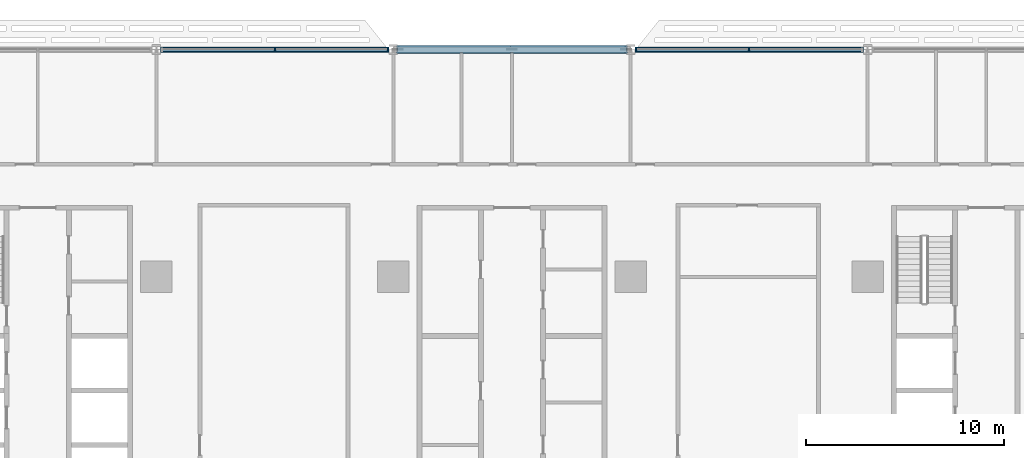
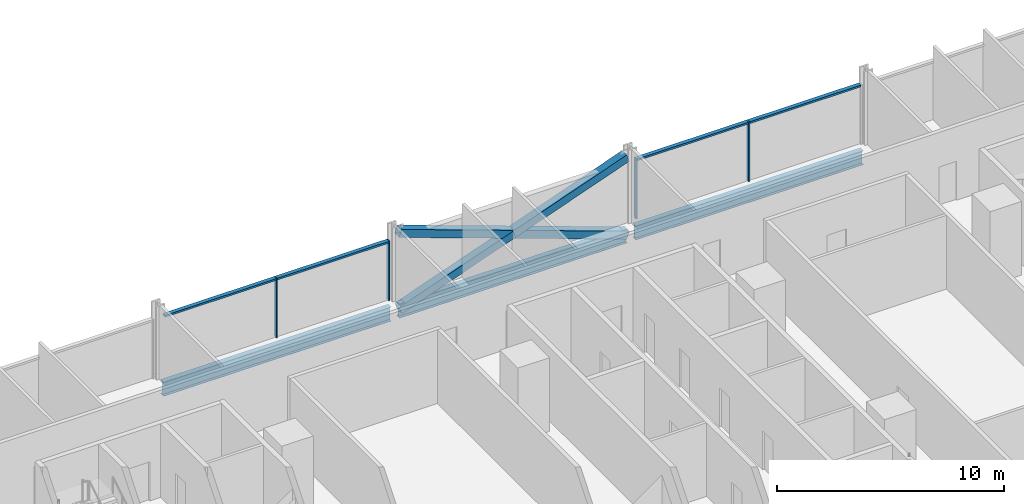
# One storey, part 5 of 26: 11 members, 3 beams, 2 elements without a shape of their own.
"""IFC4 building model written with IfcOpenShell, lengths in metres."""

from ifc_helpers import new_model, si_unit, direction, frame, origin, origin_2d, place, context, subcontext, project, spatial, rectangle, hollow_rectangle, i_section, extrude, material, material_profile, profile_set, type_object, element, aggregate, save


model = new_model("IFC4")

# Units and contexts
model_context = context("Model", 3, precision=1e-05, world=origin(), true_north=direction((0.0, 1.0)))
body_context = subcontext(model_context, "Body", "Model", "MODEL_VIEW")
ifc_project = project(units=[si_unit("LENGTHUNIT", "METRE"), si_unit("AREAUNIT", "SQUARE_METRE"), si_unit("VOLUMEUNIT", "CUBIC_METRE"), si_unit("PLANEANGLEUNIT", "RADIAN"), si_unit("MASSUNIT", "GRAM", prefix="KILO")], contexts=[model_context])

# Site, building, storey
site_placement = place(None, origin())
site = spatial("IfcSite", under=ifc_project, at=site_placement, CompositionType="ELEMENT")
building_placement = place(site_placement, origin())
building = spatial("IfcBuilding", under=site, at=building_placement, Name="Mahtab Terrace Research Tower", CompositionType="ELEMENT")
storey_placement = place(building_placement, frame((0.0, 0.0, 15.800048828125)))
storey = spatial("IfcBuildingStorey", under=building, at=storey_placement, Name="L03", CompositionType="ELEMENT", Elevation=15.800048828125)

# Members
ifc_material_1 = material(Name="Steel ASTM A500 Gr C", Category="steel")
ifc_material_profile_1 = material_profile(ifc_material_1, hollow_rectangle(XDim=0.406494140625, YDim=0.406494140625, WallThickness=0.01904296875, at=origin_2d()), Name="HSS16X16X3/4")
ifc_profile_set_1 = profile_set([ifc_material_profile_1], Name="Steel ASTM A500 Gr C")
member_type_1 = type_object("IfcMemberType", Name="HSS 16x16x3/4 brace XB161634", PredefinedType="BRACE", material=ifc_profile_set_1)
member_1_placement = place(storey_placement, frame((5.7841796875, 23.0, -0.64111328125), z_axis=(-0.941388097231, 0.0, 0.337325436917), x_axis=(0.0, -1.0, 0.0)))
element("IfcMember", 1, at=member_1_placement, inside=storey, type_object=member_type_1, Name="Exoskeleton brace L03 04 a", PredefinedType="BRACE", context=body_context, shape_type="SweptSolid", body=[
    extrude(hollow_rectangle(XDim=0.406494140625, YDim=0.406494140625, WallThickness=0.01904296875, at=origin_2d()), origin(), (0.0, 0.0, 1.0), 12.28857421875),
])
for number, where, z_axis, x_axis, name in (
    (2, (-5.7841796875, 23.0, -0.64111328125), (0.941394406025, 0.0, 0.337307830185), (0.0, 1.0, 0.0), "Exoskeleton brace L03 04 b1"),
    (3, (0.0, 23.0, 1.431396484375), (0.941381788192, 0.0, 0.337343043295), (0.0, 1.0, 0.0), "Exoskeleton brace L03 04 b2"),
):
    element("IfcMember", number, at=place(storey_placement, frame(where, z_axis=z_axis, x_axis=x_axis)), inside=storey, type_object=member_type_1, Name=name, PredefinedType="BRACE", context=body_context, shape_type="SweptSolid", body=[
        extrude(hollow_rectangle(XDim=0.406494140625, YDim=0.406494140625, WallThickness=0.01904296875, at=origin_2d()), origin(), (0.0, 0.0, 1.0), 6.144287109375),
    ])

# Curtain wall, members
ifc_material_2 = material(Name="Laboratory ribbon curtain wall")
curtain_wall_type = type_object("IfcCurtainWallType", Name="Laboratory ribbon curtain wall", PredefinedType="NOTDEFINED", material=ifc_material_2)
curtain_wall_1_placement = place(storey_placement, origin())
curtain_wall_1 = element("IfcCurtainWall", 4, at=curtain_wall_1_placement, inside=storey, type_object=curtain_wall_type, Name="EN.L03.3.5", PredefinedType="NOTDEFINED")
ifc_material_3 = material(Name="Natural anodised aluminium", Category="aluminium")
ifc_material_profile_2 = material_profile(ifc_material_3, rectangle(XDim=0.199951171875, YDim=0.06494140625, at=origin_2d()), Name="MULLION 65x200")
ifc_profile_set_2 = profile_set([ifc_material_profile_2], Name="Natural anodised aluminium")
member_type_2 = type_object("IfcMemberType", Name="Laboratory ribbon curtain wall mullion", PredefinedType="MULLION", material=ifc_profile_set_2)
member_2_placement = place(storey_placement, frame((12.0, 23.0, 0.0), z_axis=(0.0, 0.0, 1.0), x_axis=(0.0, -1.0, 0.0)))
member_2 = element("IfcMember", 5, at=member_2_placement, type_object=member_type_2, Name="CWL-1 mullion 2", PredefinedType="MULLION", context=body_context, shape_type="SweptSolid", body=[
    extrude(rectangle(XDim=0.199951171875, YDim=0.06494140625, at=origin_2d()), origin(), (0.0, 0.0, 1.0), 3.203125),
])
member_3_placement = place(storey_placement, frame((6.281494140625, 23.0, 0.0), z_axis=(0.0, 0.0, 1.0), x_axis=(0.0, -1.0, 0.0)))
member_3 = element("IfcMember", 6, at=member_3_placement, type_object=member_type_2, Name="CWL-1 mullion 3", PredefinedType="MULLION", context=body_context, shape_type="SweptSolid", body=[
    extrude(rectangle(XDim=0.199951171875, YDim=0.06494140625, at=origin_2d()), origin(), (0.0, 0.0, 1.0), 3.203125),
])

curtain_wall_2_placement = place(storey_placement, origin())
curtain_wall_2 = element("IfcCurtainWall", 7, at=curtain_wall_2_placement, inside=storey, type_object=curtain_wall_type, Name="EN.L03.3.7", PredefinedType="NOTDEFINED")
member_4_placement = place(storey_placement, frame((-6.281494140625, 23.0, 0.0), z_axis=(0.0, 0.0, 1.0), x_axis=(0.0, -1.0, 0.0)))
member_4 = element("IfcMember", 8, at=member_4_placement, type_object=member_type_2, Name="CWL-1 mullion 1", PredefinedType="MULLION", context=body_context, shape_type="SweptSolid", body=[
    extrude(rectangle(XDim=0.199951171875, YDim=0.06494140625, at=origin_2d()), origin(), (0.0, 0.0, 1.0), 3.203125),
])
member_5_placement = place(storey_placement, frame((-12.0, 23.0, 0.0), z_axis=(0.0, 0.0, 1.0), x_axis=(0.0, -1.0, 0.0)))
member_5 = element("IfcMember", 9, at=member_5_placement, type_object=member_type_2, Name="CWL-1 mullion 2", PredefinedType="MULLION", context=body_context, shape_type="SweptSolid", body=[
    extrude(rectangle(XDim=0.199951171875, YDim=0.06494140625, at=origin_2d()), origin(), (0.0, 0.0, 1.0), 3.203125),
])

# Member
ifc_material_profile_3 = material_profile(ifc_material_3, rectangle(XDim=0.199951171875, YDim=0.10009765625, at=origin_2d()), Name="TRANSOM 100x200")
ifc_profile_set_3 = profile_set([ifc_material_profile_3], Name="Natural anodised aluminium")
member_type_3 = type_object("IfcMemberType", Name="Laboratory ribbon curtain wall transom", PredefinedType="USERDEFINED", material=ifc_profile_set_3)
member_6_placement = place(storey_placement, frame((17.68603515625, 23.0, 3.153076171875), z_axis=(-1.0, 0.0, 0.0), x_axis=(0.0, -1.0, 0.0)))
member_6 = element("IfcMember", 10, at=member_6_placement, type_object=member_type_3, Name="CWL-1 transom 1", ObjectType="TRANSOM", PredefinedType="USERDEFINED", context=body_context, shape_type="SweptSolid", body=[
    extrude(rectangle(XDim=0.199951171875, YDim=0.10009765625, at=origin_2d()), origin(), (0.0, 0.0, 1.0), 5.653564453125),
])

member_7_placement = place(storey_placement, frame((11.967529296875, 23.0, 3.153076171875), z_axis=(-1.0, 0.0, 0.0), x_axis=(0.0, -1.0, 0.0)))
member_7 = element("IfcMember", 11, at=member_7_placement, type_object=member_type_3, Name="CWL-1 transom 2", ObjectType="TRANSOM", PredefinedType="USERDEFINED", context=body_context, shape_type="SweptSolid", body=[
    extrude(rectangle(XDim=0.199951171875, YDim=0.10009765625, at=origin_2d()), origin(), (0.0, 0.0, 1.0), 5.653564453125),
])

aggregate(curtain_wall_1, [member_2, member_3, member_6, member_7])

member_8_placement = place(storey_placement, frame((-6.31396484375, 23.0, 3.153076171875), z_axis=(-1.0, 0.0, 0.0), x_axis=(0.0, -1.0, 0.0)))
member_8 = element("IfcMember", 12, at=member_8_placement, type_object=member_type_3, Name="CWL-1 transom 1", ObjectType="TRANSOM", PredefinedType="USERDEFINED", context=body_context, shape_type="SweptSolid", body=[
    extrude(rectangle(XDim=0.199951171875, YDim=0.10009765625, at=origin_2d()), origin(), (0.0, 0.0, 1.0), 5.653564453125),
])

member_9_placement = place(storey_placement, frame((-12.032470703125, 23.0, 3.153076171875), z_axis=(-1.0, 0.0, 0.0), x_axis=(0.0, -1.0, 0.0)))
member_9 = element("IfcMember", 13, at=member_9_placement, type_object=member_type_3, Name="CWL-1 transom 2", ObjectType="TRANSOM", PredefinedType="USERDEFINED", context=body_context, shape_type="SweptSolid", body=[
    extrude(rectangle(XDim=0.199951171875, YDim=0.10009765625, at=origin_2d()), origin(), (0.0, 0.0, 1.0), 5.653564453125),
])

aggregate(curtain_wall_2, [member_4, member_5, member_8, member_9])

# Beams
ifc_material_4 = material(Name="Steel ASTM A992 Gr 50", Category="steel")
ifc_material_profile_4 = material_profile(ifc_material_4, i_section(OverallWidth=0.2666015625, OverallDepth=0.7568359375, WebThickness=0.013916015625, FlangeThickness=0.019287109375, at=origin_2d()), Name="W30X108")
ifc_profile_set_4 = profile_set([ifc_material_profile_4], Name="Steel ASTM A992 Gr 50")
beam_type = type_object("IfcBeamType", Name="W30x108 beam BS30108", PredefinedType="BEAM", material=ifc_profile_set_4)
for number, where, z_axis, x_axis, name in (
    (14, (17.7841796875, 23.0, -0.718505859375), (-1.0, 0.0, 0.0), (0.0, -1.0, 0.0), "Spandrel beam L03 03"),
    (15, (5.7841796875, 23.0, -0.718505859375), (-1.0, 0.0, 0.0), (0.0, -1.0, 0.0), "Spandrel beam L03 04"),
    (16, (-6.2158203125, 23.0, -0.718505859375), (-1.0, 0.0, 0.0), (0.0, -1.0, 0.0), "Spandrel beam L03 05"),
):
    element("IfcBeam", number, at=place(storey_placement, frame(where, z_axis=z_axis, x_axis=x_axis)), inside=storey, type_object=beam_type, Name=name, PredefinedType="BEAM", context=body_context, shape_type="SweptSolid", body=[
        extrude(i_section(OverallWidth=0.2666015625, OverallDepth=0.7568359375, WebThickness=0.013916015625, FlangeThickness=0.019287109375, at=origin_2d()), origin(), (0.0, 0.0, 1.0), 11.568359375),
    ])

save(model, "model.ifc")
